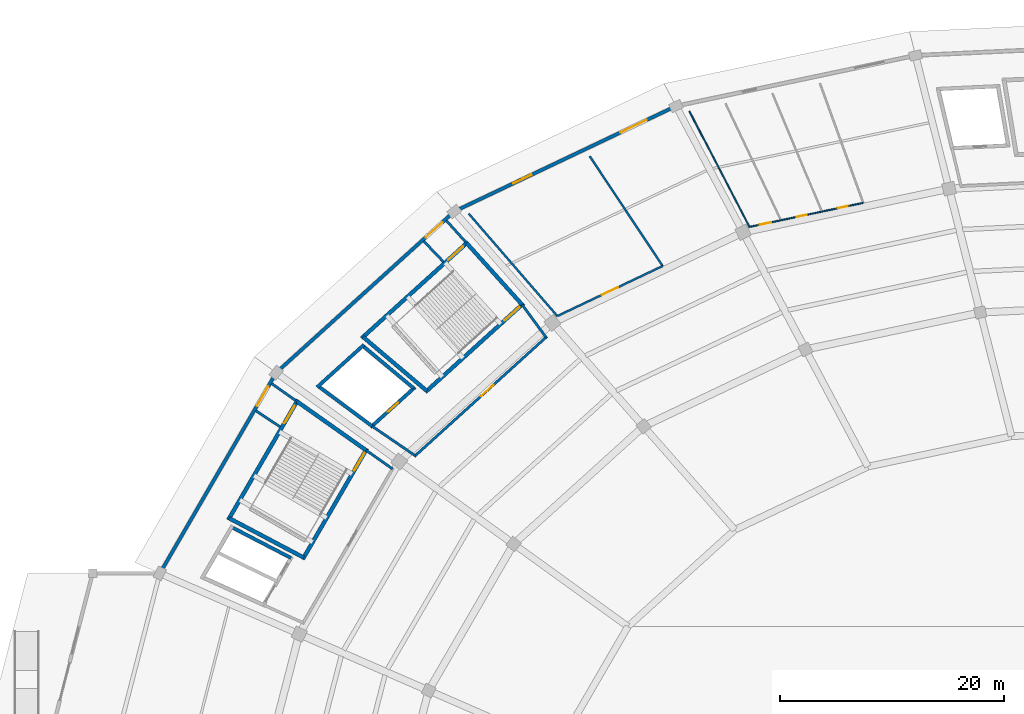
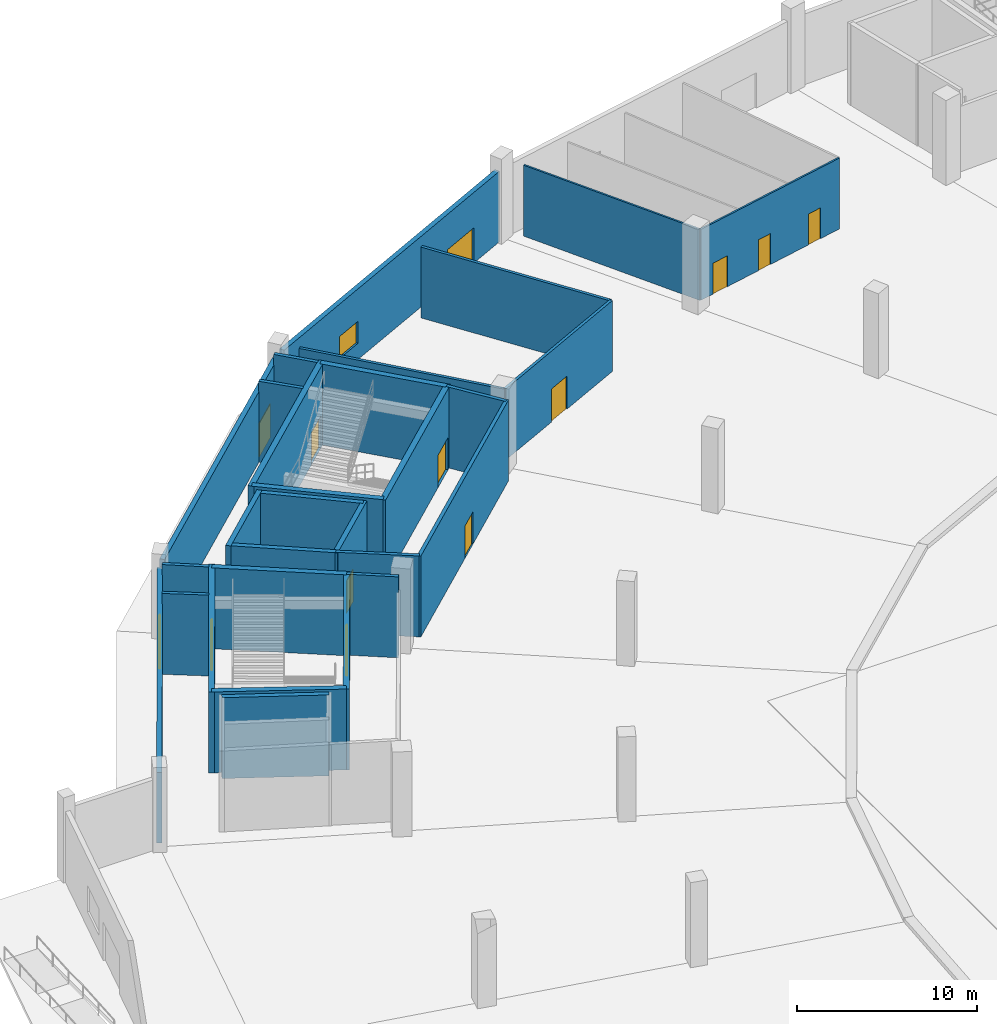
# One storey, part 16 of 48: 29 walls, 13 doors, 1 window, 14 openings.
"""IFC4 building model written with IfcOpenShell, lengths in metres."""

from ifc_helpers import new_model, si_unit, direction, frame, frame_2d, origin, place, context, subcontext, project, spatial, rectangle, extrude, material, layer, layer_set, type_object, element, fill, save


model = new_model("IFC4")

# Units and contexts
model_context = context("Model", 3, precision=1e-05, world=origin(), true_north=direction((0.0, 1.0)))
body_context = subcontext(model_context, "Body", "Model", "MODEL_VIEW")
ifc_project = project(units=[si_unit("LENGTHUNIT", "METRE"), si_unit("AREAUNIT", "SQUARE_METRE"), si_unit("VOLUMEUNIT", "CUBIC_METRE"), si_unit("PLANEANGLEUNIT", "RADIAN"), si_unit("MASSUNIT", "GRAM", prefix="KILO")], contexts=[model_context])

# Site, building, storey
site_placement = place(None, origin())
site = spatial("IfcSite", under=ifc_project, at=site_placement, CompositionType="ELEMENT")
building_placement = place(site_placement, origin())
building = spatial("IfcBuilding", under=site, at=building_placement, Name="Kazemori Nagisa Stadium", CompositionType="ELEMENT")
storey_placement = place(building_placement, origin())
storey = spatial("IfcBuildingStorey", under=building, at=storey_placement, Name="L00", CompositionType="ELEMENT", Elevation=0.0)

# Wall, opening, door
ifc_material_1 = material(Name="Concrete C40/50 (Fc42)", Category="concrete")
ifc_layer_1 = layer(ifc_material_1, 0.35009765625, Name="Concrete C40/50 (Fc42)", Category="concrete")
ifc_layer_set_1 = layer_set([ifc_layer_1], Name="Concrete C40/50 (Fc42)")
wall_type_1 = type_object("IfcWallType", Name="Wall_W-CORE-350", PredefinedType="SHEAR", material=ifc_layer_set_1)
wall_1_placement = place(storey_placement, frame((66.583251953125, 164.860107421875, 0.0), z_axis=(0.0, 0.0, 1.0), x_axis=(-0.741348929385, -0.671119784315, 0.0)))
wall_1 = element("IfcWall", 1, at=wall_1_placement, inside=storey, type_object=wall_type_1, Name="Core stair front shear wall ST02 L00", PredefinedType="SHEAR", context=body_context, shape_type="SweptSolid", body=[
    extrude(rectangle(XDim=11.826416015625, YDim=0.35009765625, at=frame_2d((5.9130859375, 0.0))), origin(), (0.0, 0.0, 1.0), 5.5),
])
opening_1_placement = place(wall_1_placement, frame((0.47509765625, 0.0, 0.0)))
opening_1 = element("IfcOpeningElement", 2, at=opening_1_placement, cuts=wall_1, Name="Opening D-ST-1800", PredefinedType="OPENING", context=body_context, shape_type="SweptSolid", body=[
    extrude(rectangle(XDim=1.800048828125, YDim=2.199951171875, at=frame_2d((0.89990234375, 1.10009765625))), frame((0.0, 0.18505859375, 0.0), z_axis=(0.0, -1.0, 0.0), x_axis=(1.0, 0.0, 0.0)), (0.0, 0.0, 1.0), 0.3701171875),
])
ifc_material_2 = material(Name="Galvanised steel sheet", Category="steel")
door_type_1 = type_object("IfcDoorType", Name="Door_D-ST-1800", OperationType="NOTDEFINED", PredefinedType="DOOR", material=ifc_material_2)
door_1_placement = place(opening_1_placement, origin())
door_1 = element("IfcDoor", 3, at=door_1_placement, inside=storey, type_object=door_type_1, Name="Exit stair fire door ST02-L00", OperationType="SINGLE_SWING_LEFT", OverallHeight=2.199951171875, OverallWidth=1.800048828125, PredefinedType="DOOR", context=body_context, shape_type="SweptSolid", body=[
    extrude(rectangle(XDim=1.800048828125, YDim=2.199951171875, at=frame_2d((0.89990234375, 1.10009765625))), frame((0.0, 0.02490234375, 0.0), z_axis=(0.0, -1.0, 0.0), x_axis=(1.0, 0.0, 0.0)), (0.0, 0.0, 1.0), 0.050048828125),
])
fill(opening_1, door_1)

wall_2_placement = place(storey_placement, frame((61.638671875, 170.3466796875, 0.0), z_axis=(0.0, 0.0, 1.0), x_axis=(-0.741351373721, -0.671117084183, 0.0)))
wall_2 = element("IfcWall", 4, at=wall_2_placement, inside=storey, type_object=wall_type_1, Name="Core stair rear shear wall ST02 L00", PredefinedType="SHEAR", context=body_context, shape_type="SweptSolid", body=[
    extrude(rectangle(XDim=12.830322265625, YDim=0.35009765625, at=frame_2d((6.4150390625, 0.0))), origin(), (0.0, 0.0, 1.0), 5.5),
])
opening_2_placement = place(wall_2_placement, frame((0.60205078125, 0.0, 0.0)))
opening_2 = element("IfcOpeningElement", 5, at=opening_2_placement, cuts=wall_2, Name="Opening D-ST-1800", PredefinedType="OPENING", context=body_context, shape_type="SweptSolid", body=[
    extrude(rectangle(XDim=1.800048828125, YDim=2.199951171875, at=frame_2d((0.89990234375, 1.10009765625))), frame((0.0, 0.18505859375, 0.0), z_axis=(0.0, -1.0, 0.0), x_axis=(1.0, 0.0, 0.0)), (0.0, 0.0, 1.0), 0.3701171875),
])
door_2_placement = place(opening_2_placement, frame((1.800048828125, 0.0, 0.0), z_axis=(0.0, 0.0, 1.0), x_axis=(-1.0, 0.0, 0.0)))
door_2 = element("IfcDoor", 6, at=door_2_placement, inside=storey, type_object=door_type_1, Name="Exit stair discharge door ST02-L00", OperationType="DOUBLE_DOOR_SINGLE_SWING", OverallHeight=2.199951171875, OverallWidth=1.800048828125, PredefinedType="DOOR", context=body_context, shape_type="SweptSolid", body=[
    extrude(rectangle(XDim=1.800048828125, YDim=2.199951171875, at=frame_2d((0.89990234375, 1.10009765625))), frame((0.0, 0.02490234375, 0.0), z_axis=(0.0, -1.0, 0.0), x_axis=(1.0, 0.0, 0.0)), (0.0, 0.0, 1.0), 0.050048828125),
])
fill(opening_2, door_2)

# Walls
wall_3_placement = place(storey_placement, frame((66.45361328125, 164.74267578125, 0.0), z_axis=(0.0, 0.0, 1.0), x_axis=(-0.669463145673, 0.742845270958, 0.0)))
element("IfcWall", 7, at=wall_3_placement, inside=storey, type_object=wall_type_1, Name="Core stair left shear wall ST02 L00", PredefinedType="SHEAR", context=body_context, shape_type="SweptSolid", body=[
    extrude(rectangle(XDim=7.385986328125, YDim=0.35009765625, at=frame_2d((3.69287109375, 0.0))), origin(), (0.0, 0.0, 1.0), 5.5),
])
wall_4_placement = place(storey_placement, frame((57.9453125, 157.04052734375, 0.0), z_axis=(0.0, 0.0, 1.0), x_axis=(-0.763422324031, 0.64589964791, 0.0)))
element("IfcWall", 8, at=wall_4_placement, inside=storey, type_object=wall_type_1, Name="Core stair right shear wall ST02 L00", PredefinedType="SHEAR", context=body_context, shape_type="SweptSolid", body=[
    extrude(rectangle(XDim=7.45166015625, YDim=0.35009765625, at=frame_2d((3.725830078125, 0.0))), origin(), (0.0, 0.0, 1.0), 5.5),
])

# Wall, opening, door
wall_5_placement = place(storey_placement, frame((52.6064453125, 151.89990234375, 0.0), z_axis=(0.0, 0.0, 1.0), x_axis=(-0.501587404838, -0.865106973332, 0.0)))
wall_5 = element("IfcWall", 9, at=wall_5_placement, inside=storey, type_object=wall_type_1, Name="Core stair front shear wall ST08 L00", PredefinedType="SHEAR", context=body_context, shape_type="SweptSolid", body=[
    extrude(rectangle(XDim=11.435302734375, YDim=0.35009765625, at=frame_2d((5.7177734375, 0.0))), origin(), (0.0, 0.0, 1.0), 5.5),
])
opening_3_placement = place(wall_5_placement, frame((0.47509765625, 0.0, 0.0)))
opening_3 = element("IfcOpeningElement", 10, at=opening_3_placement, cuts=wall_5, Name="Opening D-ST-1800", PredefinedType="OPENING", context=body_context, shape_type="SweptSolid", body=[
    extrude(rectangle(XDim=1.800048828125, YDim=2.199951171875, at=frame_2d((0.89990234375, 1.10009765625))), frame((0.0, 0.18505859375, 0.0), z_axis=(0.0, -1.0, 0.0), x_axis=(1.0, 0.0, 0.0)), (0.0, 0.0, 1.0), 0.3701171875),
])
door_3_placement = place(opening_3_placement, origin())
door_3 = element("IfcDoor", 11, at=door_3_placement, inside=storey, type_object=door_type_1, Name="Exit stair fire door ST08-L00", OperationType="SINGLE_SWING_LEFT", OverallHeight=2.199951171875, OverallWidth=1.800048828125, PredefinedType="DOOR", context=body_context, shape_type="SweptSolid", body=[
    extrude(rectangle(XDim=1.800048828125, YDim=2.199951171875, at=frame_2d((0.89990234375, 1.10009765625))), frame((0.0, 0.02490234375, 0.0), z_axis=(0.0, -1.0, 0.0), x_axis=(1.0, 0.0, 0.0)), (0.0, 0.0, 1.0), 0.050048828125),
])
fill(opening_3, door_3)

wall_6_placement = place(storey_placement, frame((46.443359375, 156.25, 0.0), z_axis=(0.0, 0.0, 1.0), x_axis=(-0.501601740165, -0.865098661577, 0.0)))
wall_6 = element("IfcWall", 12, at=wall_6_placement, inside=storey, type_object=wall_type_1, Name="Core stair rear shear wall ST08 L00", PredefinedType="SHEAR", context=body_context, shape_type="SweptSolid", body=[
    extrude(rectangle(XDim=12.404541015625, YDim=0.35009765625, at=frame_2d((6.2021484375, 0.0))), origin(), (0.0, 0.0, 1.0), 5.5),
])
opening_4_placement = place(wall_6_placement, frame((0.636962890625, 0.0, 0.0)))
opening_4 = element("IfcOpeningElement", 13, at=opening_4_placement, cuts=wall_6, Name="Opening D-ST-1800", PredefinedType="OPENING", context=body_context, shape_type="SweptSolid", body=[
    extrude(rectangle(XDim=1.800048828125, YDim=2.199951171875, at=frame_2d((0.89990234375, 1.10009765625))), frame((0.0, 0.18505859375, 0.0), z_axis=(0.0, -1.0, 0.0), x_axis=(1.0, 0.0, 0.0)), (0.0, 0.0, 1.0), 0.3701171875),
])
door_4_placement = place(opening_4_placement, frame((1.800048828125, 0.0, 0.0), z_axis=(0.0, 0.0, 1.0), x_axis=(-1.0, 0.0, 0.0)))
door_4 = element("IfcDoor", 14, at=door_4_placement, inside=storey, type_object=door_type_1, Name="Exit stair discharge door ST08-L00", OperationType="DOUBLE_DOOR_SINGLE_SWING", OverallHeight=2.199951171875, OverallWidth=1.800048828125, PredefinedType="DOOR", context=body_context, shape_type="SweptSolid", body=[
    extrude(rectangle(XDim=1.800048828125, YDim=2.199951171875, at=frame_2d((0.89990234375, 1.10009765625))), frame((0.0, 0.02490234375, 0.0), z_axis=(0.0, -1.0, 0.0), x_axis=(1.0, 0.0, 0.0)), (0.0, 0.0, 1.0), 0.050048828125),
])
fill(opening_4, door_4)

# Walls
wall_7_placement = place(storey_placement, frame((52.518798828125, 151.748291015625, 0.0), z_axis=(0.0, 0.0, 1.0), x_axis=(-0.816983109824, 0.576661597701, 0.0)))
element("IfcWall", 15, at=wall_7_placement, inside=storey, type_object=wall_type_1, Name="Core stair left shear wall ST08 L00", PredefinedType="SHEAR", context=body_context, shape_type="SweptSolid", body=[
    extrude(rectangle(XDim=7.5439453125, YDim=0.35009765625, at=frame_2d((3.77197265625, 0.0))), origin(), (0.0, 0.0, 1.0), 5.5),
])
wall_8_placement = place(storey_placement, frame((46.958251953125, 142.15869140625, 0.0), z_axis=(0.0, 0.0, 1.0), x_axis=(-0.884271552762, 0.466973040952, 0.0)))
element("IfcWall", 16, at=wall_8_placement, inside=storey, type_object=wall_type_1, Name="Core stair right shear wall ST08 L00", PredefinedType="SHEAR", context=body_context, shape_type="SweptSolid", body=[
    extrude(rectangle(XDim=7.51953125, YDim=0.35009765625, at=frame_2d((3.759765625, 0.0))), origin(), (0.0, 0.0, 1.0), 5.5),
])

# Wall, openings, door, window
ifc_material_3 = material(Name="Concrete C40/50 (Fc42) precast", Category="concrete")
ifc_layer_2 = layer(ifc_material_3, 0.300048828125, Name="Concrete C40/50 (Fc42) precast", Category="concrete")
ifc_layer_set_2 = layer_set([ifc_layer_2], Name="Concrete C40/50 (Fc42) precast")
wall_type_2 = type_object("IfcWallType", Name="Wall_W-EXT-300", PredefinedType="SOLIDWALL", material=ifc_layer_set_2)
wall_9_placement = place(storey_placement, frame((79.843017578125, 182.296875, 0.0), z_axis=(0.0, 0.0, 1.0), x_axis=(-0.903214032263, -0.429190414528, 0.0)))
wall_9 = element("IfcWall", 17, at=wall_9_placement, inside=storey, type_object=wall_type_2, Name="Ground exterior entrance wall L00-10", PredefinedType="SOLIDWALL", context=body_context, shape_type="SweptSolid", body=[
    extrude(rectangle(XDim=21.134033203125, YDim=0.300048828125, at=frame_2d((10.56689453125, 0.0))), origin(), (0.0, 0.0, 1.0), 4.800048828125),
])
opening_5_placement = place(wall_9_placement, frame((2.50390625, 0.0, 0.0)))
opening_5 = element("IfcOpeningElement", 18, at=opening_5_placement, cuts=wall_9, Name="Opening D-GATE-2600", PredefinedType="OPENING", context=body_context, shape_type="SweptSolid", body=[
    extrude(rectangle(XDim=2.60009765625, YDim=2.39990234375, at=frame_2d((1.300048828125, 1.199951171875))), frame((0.0, 0.159912109375, 0.0), z_axis=(0.0, -1.0, 0.0), x_axis=(1.0, 0.0, 0.0)), (0.0, 0.0, 1.0), 0.320068359375),
])
opening_6_placement = place(wall_9_placement, frame((13.89404296875, 0.0, 1.10009765625)))
opening_6 = element("IfcOpeningElement", 19, at=opening_6_placement, cuts=wall_9, Name="Opening WIN-L00-1800", PredefinedType="OPENING", context=body_context, shape_type="SweptSolid", body=[
    extrude(rectangle(XDim=1.800048828125, YDim=1.5, at=frame_2d((0.89990234375, 0.75))), frame((0.0, 0.159912109375, 0.0), z_axis=(0.0, -1.0, 0.0), x_axis=(1.0, 0.0, 0.0)), (0.0, 0.0, 1.0), 0.320068359375),
])
ifc_material_4 = material(Name="Anodised aluminium 6063-T5", Category="aluminium")
door_type_2 = type_object("IfcDoorType", Name="Door_D-GATE-2600", OperationType="NOTDEFINED", PredefinedType="DOOR", material=ifc_material_4)
door_5_placement = place(opening_5_placement, frame((2.60009765625, 0.0, 0.0), z_axis=(0.0, 0.0, 1.0), x_axis=(-1.0, 0.0, 0.0)))
door_5 = element("IfcDoor", 20, at=door_5_placement, inside=storey, type_object=door_type_2, Name="Pedestrian exit gate G4", OperationType="DOUBLE_DOOR_SINGLE_SWING", OverallHeight=2.39990234375, OverallWidth=2.60009765625, PredefinedType="DOOR", context=body_context, shape_type="SweptSolid", body=[
    extrude(rectangle(XDim=2.60009765625, YDim=2.39990234375, at=frame_2d((1.300048828125, 1.199951171875))), frame((0.0, 0.02490234375, 0.0), z_axis=(0.0, -1.0, 0.0), x_axis=(1.0, 0.0, 0.0)), (0.0, 0.0, 1.0), 0.050048828125),
])
fill(opening_5, door_5)
ifc_material_5 = material(Name="Low-e laminated double glazing", Category="glass")
window_type = type_object("IfcWindowType", Name="Window_WIN-L00-1800", PartitioningType="SINGLE_PANEL", PredefinedType="WINDOW", material=ifc_material_5)
window_placement = place(opening_6_placement, origin())
window = element("IfcWindow", 21, at=window_placement, inside=storey, type_object=window_type, Name="Ground room window L00-10", OverallHeight=1.5, OverallWidth=1.800048828125, PartitioningType="SINGLE_PANEL", PredefinedType="WINDOW", context=body_context, shape_type="SweptSolid", body=[
    extrude(rectangle(XDim=1.800048828125, YDim=1.5, at=frame_2d((0.89990234375, 0.75))), frame((0.0, 0.030029296875, 0.0), z_axis=(0.0, -1.0, 0.0), x_axis=(1.0, 0.0, 0.0)), (0.0, 0.0, 1.0), 0.06005859375),
])
fill(opening_6, window)

# Wall, opening, door
wall_10_placement = place(storey_placement, frame((60.11279296875, 172.797119140625, 0.0), z_axis=(0.0, 0.0, 1.0), x_axis=(-0.741354093053, -0.671114080253, 0.0)))
wall_10 = element("IfcWall", 22, at=wall_10_placement, inside=storey, type_object=wall_type_2, Name="Ground exterior entrance wall L00-11", PredefinedType="SOLIDWALL", context=body_context, shape_type="SweptSolid", body=[
    extrude(rectangle(XDim=20.66357421875, YDim=0.300048828125, at=frame_2d((10.331787109375, 0.0))), origin(), (0.0, 0.0, 1.0), 4.800048828125),
])
opening_7_placement = place(wall_10_placement, frame((1.050048828125, 0.0, 0.0)))
opening_7 = element("IfcOpeningElement", 23, at=opening_7_placement, cuts=wall_10, Name="Opening D-SD-2000", PredefinedType="OPENING", context=body_context, shape_type="SweptSolid", body=[
    extrude(rectangle(XDim=2.0, YDim=2.300048828125, at=frame_2d((1.0, 1.14990234375))), frame((0.0, 0.159912109375, 0.0), z_axis=(0.0, -1.0, 0.0), x_axis=(1.0, 0.0, 0.0)), (0.0, 0.0, 1.0), 0.320068359375),
])
door_type_3 = type_object("IfcDoorType", Name="Door_D-SD-2000", OperationType="NOTDEFINED", PredefinedType="DOOR", material=ifc_material_2)
door_6_placement = place(opening_7_placement, frame((2.0, 0.0, 0.0), z_axis=(0.0, 0.0, 1.0), x_axis=(-1.0, 0.0, 0.0)))
door_6 = element("IfcDoor", 24, at=door_6_placement, inside=storey, type_object=door_type_3, Name="Pedestrian stair exit SD2", OperationType="DOUBLE_DOOR_SINGLE_SWING", OverallHeight=2.300048828125, OverallWidth=2.0, PredefinedType="DOOR", context=body_context, shape_type="SweptSolid", body=[
    extrude(rectangle(XDim=2.0, YDim=2.300048828125, at=frame_2d((1.0, 1.14990234375))), frame((0.0, 0.02490234375, 0.0), z_axis=(0.0, -1.0, 0.0), x_axis=(1.0, 0.0, 0.0)), (0.0, 0.0, 1.0), 0.050048828125),
])
fill(opening_7, door_6)

wall_11_placement = place(storey_placement, frame((44.30908203125, 158.330322265625, 0.0), z_axis=(0.0, 0.0, 1.0), x_axis=(-0.501609752715, -0.865094015689, 0.0)))
wall_11 = element("IfcWall", 25, at=wall_11_placement, inside=storey, type_object=wall_type_2, Name="Core exterior wall L00-12", PredefinedType="SOLIDWALL", context=body_context, shape_type="SweptSolid", body=[
    extrude(rectangle(XDim=19.932373046875, YDim=0.300048828125, at=frame_2d((9.96630859375, 0.0))), origin(), (0.0, 0.0, 1.0), 4.800048828125),
])
opening_8_placement = place(wall_11_placement, frame((1.050048828125, 0.0, 0.0)))
opening_8 = element("IfcOpeningElement", 26, at=opening_8_placement, cuts=wall_11, Name="Opening D-SD-2000", PredefinedType="OPENING", context=body_context, shape_type="SweptSolid", body=[
    extrude(rectangle(XDim=2.0, YDim=2.300048828125, at=frame_2d((1.0, 1.14990234375))), frame((0.0, 0.159912109375, 0.0), z_axis=(0.0, -1.0, 0.0), x_axis=(1.0, 0.0, 0.0)), (0.0, 0.0, 1.0), 0.320068359375),
])
door_7_placement = place(opening_8_placement, frame((2.0, 0.0, 0.0), z_axis=(0.0, 0.0, 1.0), x_axis=(-1.0, 0.0, 0.0)))
door_7 = element("IfcDoor", 27, at=door_7_placement, inside=storey, type_object=door_type_3, Name="Pedestrian stair exit SD8", OperationType="DOUBLE_DOOR_SINGLE_SWING", OverallHeight=2.300048828125, OverallWidth=2.0, PredefinedType="DOOR", context=body_context, shape_type="SweptSolid", body=[
    extrude(rectangle(XDim=2.0, YDim=2.300048828125, at=frame_2d((1.0, 1.14990234375))), frame((0.0, 0.02490234375, 0.0), z_axis=(0.0, -1.0, 0.0), x_axis=(1.0, 0.0, 0.0)), (0.0, 0.0, 1.0), 0.050048828125),
])
fill(opening_8, door_7)

# Walls
ifc_material_6 = material(Name="Concrete C36/45 (Fc36)", Category="concrete")
ifc_layer_3 = layer(ifc_material_6, 0.219970703125, Name="Concrete C36/45 (Fc36)", Category="concrete")
ifc_layer_set_3 = layer_set([ifc_layer_3], Name="Concrete C36/45 (Fc36)")
wall_type_3 = type_object("IfcWallType", Name="Wall_W-LOBBY-220", PredefinedType="SOLIDWALL", material=ifc_layer_set_3)
wall_12_placement = place(storey_placement, frame((61.4052734375, 170.344482421875, 0.0), z_axis=(0.0, 0.0, 1.0), x_axis=(-0.669523961342, 0.742790458467, 0.0)))
element("IfcWall", 28, at=wall_12_placement, inside=storey, type_object=wall_type_3, Name="Exit passage left fire wall ST02 L00", PredefinedType="SOLIDWALL", context=body_context, shape_type="SweptSolid", body=[
    extrude(rectangle(XDim=2.555908203125, YDim=0.219970703125, at=frame_2d((1.27783203125, 0.0))), origin(), (0.0, 0.0, 1.0), 5.5),
])
wall_13_placement = place(storey_placement, frame((59.434814453125, 168.560546875, 0.0), z_axis=(0.0, 0.0, 1.0), x_axis=(-0.690686933178, 0.7231538981, 0.0)))
element("IfcWall", 29, at=wall_13_placement, inside=storey, type_object=wall_type_3, Name="Exit passage right fire wall ST02 L00", PredefinedType="SOLIDWALL", context=body_context, shape_type="SweptSolid", body=[
    extrude(rectangle(XDim=2.556640625, YDim=0.219970703125, at=frame_2d((1.2783203125, 0.0))), origin(), (0.0, 0.0, 1.0), 5.5),
])

# Wall, opening, door
wall_14_placement = place(storey_placement, frame((68.672607421875, 161.89794921875, 0.0), z_axis=(0.0, 0.0, 1.0), x_axis=(-0.741351035574, -0.671117457717, 0.0)))
wall_14 = element("IfcWall", 30, at=wall_14_placement, inside=storey, type_object=wall_type_3, Name="Core lobby fire wall ST02 L00", PredefinedType="SOLIDWALL", context=body_context, shape_type="SweptSolid", body=[
    extrude(rectangle(XDim=15.96923828125, YDim=0.219970703125, at=frame_2d((7.984619140625, 0.0))), origin(), (0.0, 0.0, 1.0), 5.5),
])
opening_9_placement = place(wall_14_placement, frame((6.447021484375, 0.0, 0.0)))
opening_9 = element("IfcOpeningElement", 31, at=opening_9_placement, cuts=wall_14, Name="Opening D-FFL-1500", PredefinedType="OPENING", context=body_context, shape_type="SweptSolid", body=[
    extrude(rectangle(XDim=1.5, YDim=2.199951171875, at=frame_2d((0.75, 1.10009765625))), frame((0.0, 0.119873046875, 0.0), z_axis=(0.0, -1.0, 0.0), x_axis=(1.0, 0.0, 0.0)), (0.0, 0.0, 1.0), 0.239990234375),
])
door_type_4 = type_object("IfcDoorType", Name="Door_D-FFL-1500", OperationType="NOTDEFINED", PredefinedType="DOOR", material=ifc_material_2)
door_8_placement = place(opening_9_placement, origin())
door_8 = element("IfcDoor", 32, at=door_8_placement, inside=storey, type_object=door_type_4, Name="Protected lobby fire door ST02-L00", OperationType="DOUBLE_DOOR_SINGLE_SWING", OverallHeight=2.199951171875, OverallWidth=1.5, PredefinedType="DOOR", context=body_context, shape_type="SweptSolid", body=[
    extrude(rectangle(XDim=1.5, YDim=2.199951171875, at=frame_2d((0.75, 1.10009765625))), frame((0.0, 0.02490234375, 0.0), z_axis=(0.0, -1.0, 0.0), x_axis=(1.0, 0.0, 0.0)), (0.0, 0.0, 1.0), 0.050048828125),
])
fill(opening_9, door_8)

# Walls
wall_15_placement = place(storey_placement, frame((68.591064453125, 161.823974609375, 0.0), z_axis=(0.0, 0.0, 1.0), x_axis=(-0.590836915359, 0.806791013491, 0.0)))
element("IfcWall", 33, at=wall_15_placement, inside=storey, type_object=wall_type_3, Name="Core lobby left wall ST02 L00", PredefinedType="SOLIDWALL", context=body_context, shape_type="SweptSolid", body=[
    extrude(rectangle(XDim=3.61767578125, YDim=0.219970703125, at=frame_2d((1.808837890625, 0.0))), origin(), (0.0, 0.0, 1.0), 5.5),
])
wall_16_placement = place(storey_placement, frame((56.915283203125, 151.25439453125, 0.0), z_axis=(0.0, 0.0, 1.0), x_axis=(-0.825385410642, 0.564569680287, 0.0)))
element("IfcWall", 34, at=wall_16_placement, inside=storey, type_object=wall_type_3, Name="Core lobby right wall ST02 L00", PredefinedType="SOLIDWALL", context=body_context, shape_type="SweptSolid", body=[
    extrude(rectangle(XDim=4.673828125, YDim=0.219970703125, at=frame_2d((2.3369140625, 0.0))), origin(), (0.0, 0.0, 1.0), 5.5),
])
wall_17_placement = place(storey_placement, frame((46.22900390625, 156.18798828125, 0.0), z_axis=(0.0, 0.0, 1.0), x_axis=(-0.816998892692, 0.576639236733, 0.0)))
element("IfcWall", 35, at=wall_17_placement, inside=storey, type_object=wall_type_3, Name="Exit passage left fire wall ST08 L00", PredefinedType="SOLIDWALL", context=body_context, shape_type="SweptSolid", body=[
    extrude(rectangle(XDim=2.616455078125, YDim=0.219970703125, at=frame_2d((1.30810546875, 0.0))), origin(), (0.0, 0.0, 1.0), 5.5),
])
wall_18_placement = place(storey_placement, frame((44.85986328125, 153.827392578125, 0.0), z_axis=(0.0, 0.0, 1.0), x_axis=(-0.833386125642, 0.552691202741, 0.0)))
element("IfcWall", 36, at=wall_18_placement, inside=storey, type_object=wall_type_3, Name="Exit passage right fire wall ST08 L00", PredefinedType="SOLIDWALL", context=body_context, shape_type="SweptSolid", body=[
    extrude(rectangle(XDim=2.610107421875, YDim=0.219970703125, at=frame_2d((1.30517578125, 0.0))), origin(), (0.0, 0.0, 1.0), 5.5),
])
wall_19_placement = place(storey_placement, frame((54.88916015625, 150.0751953125, 0.0), z_axis=(0.0, 0.0, 1.0), x_axis=(-0.816984187086, 0.57666007149, 0.0)))
element("IfcWall", 37, at=wall_19_placement, inside=storey, type_object=wall_type_3, Name="Core lobby left wall ST08 L00", PredefinedType="SOLIDWALL", context=body_context, shape_type="SweptSolid", body=[
    extrude(rectangle(XDim=2.9013671875, YDim=0.219970703125, at=frame_2d((1.45068359375, 0.0))), origin(), (0.0, 0.0, 1.0), 5.5),
])

# Wall, openings, doors
ifc_material_7 = material(Name="Moisture-resistant gypsum board", Category="gypsum")
ifc_layer_4 = layer(ifc_material_7, 0.114990234375, Name="Moisture-resistant gypsum board", Category="gypsum")
ifc_layer_set_4 = layer_set([ifc_layer_4], Name="Moisture-resistant gypsum board")
wall_type_4 = type_object("IfcWallType", Name="Wall_W-PART-115", PredefinedType="PARTITIONING", material=ifc_layer_set_4)
wall_20_placement = place(storey_placement, frame((96.913818359375, 173.82666015625, 0.0), z_axis=(0.0, 0.0, 1.0), x_axis=(-0.978343476841, -0.206988022174, 0.0)))
wall_20 = element("IfcWall", 38, at=wall_20_placement, inside=storey, type_object=wall_type_4, Name="Sanitary block corridor partition L00-B09", PredefinedType="PARTITIONING", context=body_context, shape_type="SweptSolid", body=[
    extrude(rectangle(XDim=10.383056640625, YDim=0.114990234375, at=frame_2d((5.19140625, 0.0))), origin(), (0.0, 0.0, 1.0), 4.820068359375),
])
opening_10_placement = place(wall_20_placement, frame((1.4189453125, 0.0, 0.0)))
opening_10 = element("IfcOpeningElement", 39, at=opening_10_placement, cuts=wall_20, Name="Opening D-WC-900", PredefinedType="OPENING", context=body_context, shape_type="SweptSolid", body=[
    extrude(rectangle(XDim=0.89990234375, YDim=2.10009765625, at=frame_2d((0.449951171875, 1.050048828125))), frame((0.0, 0.0673828125, 0.0), z_axis=(0.0, -1.0, 0.0), x_axis=(1.0, 0.0, 0.0)), (0.0, 0.0, 1.0), 0.135009765625),
])
opening_11_placement = place(wall_20_placement, frame((5.156982421875, 0.0, 0.0)))
opening_11 = element("IfcOpeningElement", 40, at=opening_11_placement, cuts=wall_20, Name="Opening D-WC-900", PredefinedType="OPENING", context=body_context, shape_type="SweptSolid", body=[
    extrude(rectangle(XDim=0.89990234375, YDim=2.10009765625, at=frame_2d((0.449951171875, 1.050048828125))), frame((0.0, 0.0673828125, 0.0), z_axis=(0.0, -1.0, 0.0), x_axis=(1.0, 0.0, 0.0)), (0.0, 0.0, 1.0), 0.135009765625),
])
opening_12_placement = place(wall_20_placement, frame((8.405029296875, 0.0, 0.0)))
opening_12 = element("IfcOpeningElement", 41, at=opening_12_placement, cuts=wall_20, Name="Opening D-AWC-1050", PredefinedType="OPENING", context=body_context, shape_type="SweptSolid", body=[
    extrude(rectangle(XDim=1.050048828125, YDim=2.10009765625, at=frame_2d((0.52490234375, 1.050048828125))), frame((0.0, 0.0673828125, 0.0), z_axis=(0.0, -1.0, 0.0), x_axis=(1.0, 0.0, 0.0)), (0.0, 0.0, 1.0), 0.135009765625),
])
ifc_material_8 = material(Name="High-pressure laminate on timber core", Category="wood")
door_type_5 = type_object("IfcDoorType", Name="Door_D-AWC-1050", OperationType="NOTDEFINED", PredefinedType="DOOR", material=ifc_material_8)
door_9_placement = place(opening_12_placement, origin())
door_9 = element("IfcDoor", 42, at=door_9_placement, inside=storey, type_object=door_type_5, Name="AWC entrance door L00-B09", OperationType="SINGLE_SWING_LEFT", OverallHeight=2.10009765625, OverallWidth=1.050048828125, PredefinedType="DOOR", context=body_context, shape_type="SweptSolid", body=[
    extrude(rectangle(XDim=1.050048828125, YDim=2.10009765625, at=frame_2d((0.52490234375, 1.050048828125))), frame((0.0, 0.02490234375, 0.0), z_axis=(0.0, -1.0, 0.0), x_axis=(1.0, 0.0, 0.0)), (0.0, 0.0, 1.0), 0.050048828125),
])
fill(opening_12, door_9)
door_type_6 = type_object("IfcDoorType", Name="Door_D-WC-900", OperationType="NOTDEFINED", PredefinedType="DOOR", material=ifc_material_8)
door_10_placement = place(opening_10_placement, origin())
door_10 = element("IfcDoor", 43, at=door_10_placement, inside=storey, type_object=door_type_6, Name="MWC entrance door L00-B09", OperationType="SINGLE_SWING_LEFT", OverallHeight=2.10009765625, OverallWidth=0.89990234375, PredefinedType="DOOR", context=body_context, shape_type="SweptSolid", body=[
    extrude(rectangle(XDim=0.89990234375, YDim=2.10009765625, at=frame_2d((0.449951171875, 1.050048828125))), frame((0.0, 0.02490234375, 0.0), z_axis=(0.0, -1.0, 0.0), x_axis=(1.0, 0.0, 0.0)), (0.0, 0.0, 1.0), 0.050048828125),
])
fill(opening_10, door_10)
door_11_placement = place(opening_11_placement, origin())
door_11 = element("IfcDoor", 44, at=door_11_placement, inside=storey, type_object=door_type_6, Name="FWC entrance door L00-B09", OperationType="SINGLE_SWING_RIGHT", OverallHeight=2.10009765625, OverallWidth=0.89990234375, PredefinedType="DOOR", context=body_context, shape_type="SweptSolid", body=[
    extrude(rectangle(XDim=0.89990234375, YDim=2.10009765625, at=frame_2d((0.449951171875, 1.050048828125))), frame((0.0, 0.02490234375, 0.0), z_axis=(0.0, -1.0, 0.0), x_axis=(1.0, 0.0, 0.0)), (0.0, 0.0, 1.0), 0.050048828125),
])
fill(opening_11, door_11)

# Wall
wall_21_placement = place(storey_placement, frame((86.755615234375, 171.677490234375, 0.0), z_axis=(0.0, 0.0, 1.0), x_axis=(-0.46148287956, 0.88714911479, 0.0)))
element("IfcWall", 45, at=wall_21_placement, inside=storey, type_object=wall_type_4, Name="Sanitary block R partition L00-B09", PredefinedType="PARTITIONING", context=body_context, shape_type="SweptSolid", body=[
    extrude(rectangle(XDim=11.635498046875, YDim=0.114990234375, at=frame_2d((5.81787109375, 0.0))), origin(), (0.0, 0.0, 1.0), 4.820068359375),
])

# Wall, opening, door
ifc_material_9 = material(Name="Gypsum plasterboard", Category="gypsum")
ifc_layer_5 = layer(ifc_material_9, 0.179931640625, Name="Gypsum plasterboard", Category="gypsum")
ifc_layer_set_5 = layer_set([ifc_layer_5], Name="Gypsum plasterboard")
wall_type_5 = type_object("IfcWallType", Name="Wall_W-PART-180", PredefinedType="PARTITIONING", material=ifc_layer_set_5)
wall_22_placement = place(storey_placement, frame((79.005126953125, 168.189453125, 0.0), z_axis=(0.0, 0.0, 1.0), x_axis=(-0.903212529205, -0.42919357764, 0.0)))
wall_22 = element("IfcWall", 46, at=wall_22_placement, inside=storey, type_object=wall_type_5, Name="Ticketing Hall L00-10 corridor partition L00-B10", PredefinedType="PARTITIONING", context=body_context, shape_type="SweptSolid", body=[
    extrude(rectangle(XDim=10.41357421875, YDim=0.179931640625, at=frame_2d((5.206787109375, 0.0))), origin(), (0.0, 0.0, 1.0), 4.820068359375),
])
opening_13_placement = place(wall_22_placement, frame((4.427001953125, 0.0, 0.0)))
opening_13 = element("IfcOpeningElement", 47, at=opening_13_placement, cuts=wall_22, Name="Opening D-TCK-1560", PredefinedType="OPENING", context=body_context, shape_type="SweptSolid", body=[
    extrude(rectangle(XDim=1.56005859375, YDim=2.25, at=frame_2d((0.780029296875, 1.125))), frame((0.0, 0.099853515625, 0.0), z_axis=(0.0, -1.0, 0.0), x_axis=(1.0, 0.0, 0.0)), (0.0, 0.0, 1.0), 0.199951171875),
])
door_type_7 = type_object("IfcDoorType", Name="Door_D-TCK-1560", OperationType="NOTDEFINED", PredefinedType="DOOR", material=ifc_material_2)
door_12_placement = place(opening_13_placement, origin())
door_12 = element("IfcDoor", 48, at=door_12_placement, inside=storey, type_object=door_type_7, Name="Ticketing Hall L00-10 entrance door D-TCK-1560", OperationType="DOUBLE_DOOR_SINGLE_SWING", OverallHeight=2.25, OverallWidth=1.56005859375, PredefinedType="DOOR", context=body_context, shape_type="SweptSolid", body=[
    extrude(rectangle(XDim=1.56005859375, YDim=2.25, at=frame_2d((0.780029296875, 1.125))), frame((0.0, 0.02490234375, 0.0), z_axis=(0.0, -1.0, 0.0), x_axis=(1.0, 0.0, 0.0)), (0.0, 0.0, 1.0), 0.050048828125),
])
fill(opening_13, door_12)

# Walls
wall_23_placement = place(storey_placement, frame((79.005126953125, 168.189453125, 0.0), z_axis=(0.0, 0.0, 1.0), x_axis=(-0.553565629172, 0.832805556057, 0.0)))
element("IfcWall", 49, at=wall_23_placement, inside=storey, type_object=wall_type_5, Name="Room radial partition L00-B10-L", PredefinedType="PARTITIONING", context=body_context, shape_type="SweptSolid", body=[
    extrude(rectangle(XDim=11.774169921875, YDim=0.179931640625, at=frame_2d((5.88720703125, 0.0))), origin(), (0.0, 0.0, 1.0), 4.820068359375),
])
wall_24_placement = place(storey_placement, frame((69.599365234375, 163.719970703125, 0.0), z_axis=(0.0, 0.0, 1.0), x_axis=(-0.654293035882, 0.756241114458, 0.0)))
element("IfcWall", 50, at=wall_24_placement, inside=storey, type_object=wall_type_5, Name="Room radial partition L00-B10-R", PredefinedType="PARTITIONING", context=body_context, shape_type="SweptSolid", body=[
    extrude(rectangle(XDim=12.091064453125, YDim=0.179931640625, at=frame_2d((6.04541015625, 0.0))), origin(), (0.0, 0.0, 1.0), 4.820068359375),
])

# Wall, opening, door
ifc_layer_6 = layer(ifc_material_1, 0.300048828125, Name="Concrete C40/50 (Fc42)", Category="concrete")
ifc_layer_set_6 = layer_set([ifc_layer_6], Name="Concrete C40/50 (Fc42)")
wall_type_6 = type_object("IfcWallType", Name="Wall_W-SHAFT-300", PredefinedType="SHEAR", material=ifc_layer_set_6)
wall_25_placement = place(storey_placement, frame((56.89697265625, 157.368896484375, 0.0), z_axis=(0.0, 0.0, 1.0), x_axis=(-0.741350155641, -0.671118429736, 0.0)))
wall_25 = element("IfcWall", 51, at=wall_25_placement, inside=storey, type_object=wall_type_6, Name="Lift shaft front wall FL2 L00", PredefinedType="SHEAR", context=body_context, shape_type="SweptSolid", body=[
    extrude(rectangle(XDim=5.3291015625, YDim=0.300048828125, at=frame_2d((2.66455078125, 0.0))), origin(), (0.0, 0.0, 1.0), 5.5),
])
opening_14_placement = place(wall_25_placement, frame((2.06494140625, 0.0, 0.0)))
opening_14 = element("IfcOpeningElement", 52, at=opening_14_placement, cuts=wall_25, Name="Opening LD-FF", PredefinedType="OPENING", context=body_context, shape_type="SweptSolid", body=[
    extrude(rectangle(XDim=1.199951171875, YDim=2.199951171875, at=frame_2d((0.60009765625, 1.10009765625))), frame((0.0, 0.159912109375, 0.0), z_axis=(0.0, -1.0, 0.0), x_axis=(1.0, 0.0, 0.0)), (0.0, 0.0, 1.0), 0.320068359375),
])
ifc_material_10 = material(Name="Stainless steel SUS304", Category="steel")
door_type_8 = type_object("IfcDoorType", Name="Door_LD-FF", OperationType="SLIDING_TO_LEFT", PredefinedType="DOOR", material=ifc_material_10)
door_13_placement = place(opening_14_placement, origin())
door_13 = element("IfcDoor", 53, at=door_13_placement, inside=storey, type_object=door_type_8, Name="Lift landing door FL2-L00", OperationType="SLIDING_TO_LEFT", OverallHeight=2.199951171875, OverallWidth=1.199951171875, PredefinedType="DOOR", context=body_context, shape_type="SweptSolid", body=[
    extrude(rectangle(XDim=1.199951171875, YDim=2.199951171875, at=frame_2d((0.60009765625, 1.10009765625))), frame((0.0, 0.02490234375, 0.0), z_axis=(0.0, -1.0, 0.0), x_axis=(1.0, 0.0, 0.0)), (0.0, 0.0, 1.0), 0.050048828125),
])
fill(opening_14, door_13)

# Walls
wall_26_placement = place(storey_placement, frame((52.345703125, 161.167724609375, 0.0), z_axis=(0.0, 0.0, 1.0), x_axis=(-0.74134208775, -0.671127341815, 0.0)))
element("IfcWall", 54, at=wall_26_placement, inside=storey, type_object=wall_type_6, Name="Lift shaft B wall FL2 L00", PredefinedType="SHEAR", context=body_context, shape_type="SweptSolid", body=[
    extrude(rectangle(XDim=5.674560546875, YDim=0.300048828125, at=frame_2d((2.83740234375, 0.0))), origin(), (0.0, 0.0, 1.0), 5.5),
])
wall_27_placement = place(storey_placement, frame((56.785888671875, 157.26806640625, 0.0), z_axis=(0.0, 0.0, 1.0), x_axis=(-0.767711354146, 0.640795815151, 0.0)))
element("IfcWall", 55, at=wall_27_placement, inside=storey, type_object=wall_type_6, Name="Lift shaft L wall FL2 L00", PredefinedType="SHEAR", context=body_context, shape_type="SweptSolid", body=[
    extrude(rectangle(XDim=5.9287109375, YDim=0.300048828125, at=frame_2d((2.96435546875, 0.0))), origin(), (0.0, 0.0, 1.0), 5.5),
])
wall_28_placement = place(storey_placement, frame((53.0576171875, 153.89306640625, 0.0), z_axis=(0.0, 0.0, 1.0), x_axis=(-0.803101805449, 0.59584183311, 0.0)))
element("IfcWall", 56, at=wall_28_placement, inside=storey, type_object=wall_type_6, Name="Lift shaft R wall FL2 L00", PredefinedType="SHEAR", context=body_context, shape_type="SweptSolid", body=[
    extrude(rectangle(XDim=5.986328125, YDim=0.300048828125, at=frame_2d((2.9931640625, 0.0))), origin(), (0.0, 0.0, 1.0), 5.5),
])
wall_29_placement = place(storey_placement, frame((45.82470703125, 142.1240234375, 0.0), z_axis=(0.0, 0.0, 1.0), x_axis=(-0.887268274556, 0.461253735992, 0.0)))
element("IfcWall", 57, at=wall_29_placement, inside=storey, type_object=wall_type_6, Name="Lift shaft L wall LP6 L00", PredefinedType="SHEAR", context=body_context, shape_type="SweptSolid", body=[
    extrude(rectangle(XDim=5.97900390625, YDim=0.300048828125, at=frame_2d((2.989501953125, 0.0))), origin(), (0.0, 0.0, 1.0), 5.5),
])

save(model, "model.ifc")
